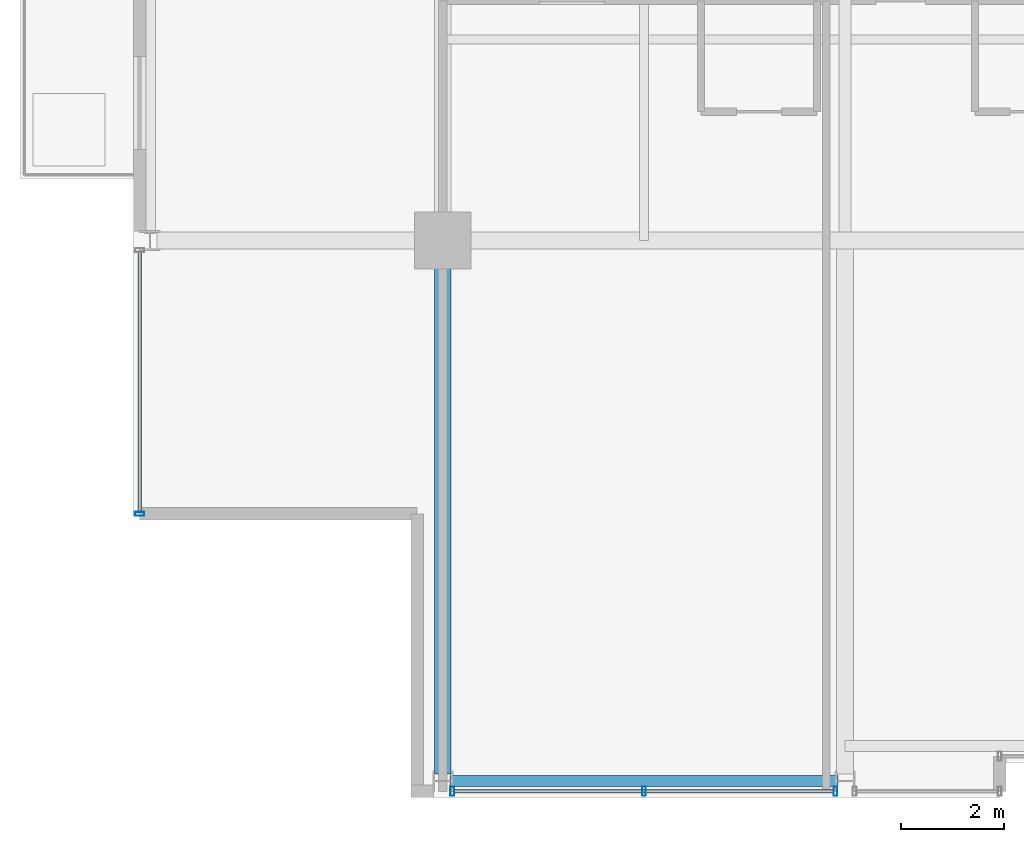
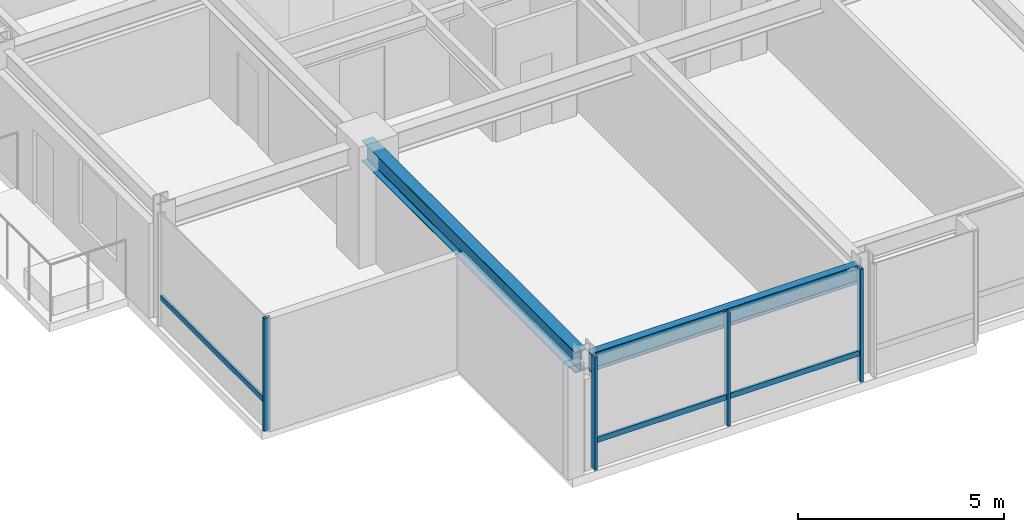
# One storey, part 2 of 31: 6 members, 2 beams, 2 elements without a shape of their own.
"""IFC4 building model written with IfcOpenShell, lengths in metres."""

from ifc_helpers import new_model, si_unit, direction, frame, origin, origin_2d, place, context, subcontext, project, spatial, hollow_rectangle, i_section, extrude, material, layer, layer_set, material_profile, profile_set, type_object, element, aggregate, save


model = new_model("IFC4")

# Units and contexts
model_context = context("Model", 3, precision=1e-05, world=origin(), true_north=direction((0.0, 1.0)))
body_context = subcontext(model_context, "Body", "Model", "MODEL_VIEW")
ifc_project = project(units=[si_unit("LENGTHUNIT", "METRE"), si_unit("AREAUNIT", "SQUARE_METRE"), si_unit("VOLUMEUNIT", "CUBIC_METRE"), si_unit("PLANEANGLEUNIT", "RADIAN"), si_unit("MASSUNIT", "GRAM", prefix="KILO")], contexts=[model_context])

# Site, building, storey
site_placement = place(None, origin())
site = spatial("IfcSite", under=ifc_project, at=site_placement, CompositionType="ELEMENT")
building_placement = place(site_placement, origin())
building = spatial("IfcBuilding", under=site, at=building_placement, Name="Drelvath Grand Hotel", CompositionType="ELEMENT")
storey_placement = place(building_placement, frame((0.0, 0.0, 230.300048828125)))
storey = spatial("IfcBuildingStorey", under=building, at=storey_placement, Name="L60", CompositionType="ELEMENT", Elevation=230.300048828125)

# Curtain wall, member
ifc_material_1 = material(Name="Platinum-Mist Anodised Aluminium Frame", Category="aluminium")
ifc_layer = layer(ifc_material_1, 0.199951171875)
ifc_layer_set = layer_set([ifc_layer], Name="Platinum-Mist Anodised Aluminium Frame")
curtain_wall_type = type_object("IfcCurtainWallType", Name="Stick Curtain Wall CW-05 Platinum Mist High-Rise", PredefinedType="NOTDEFINED", material=ifc_layer_set)
curtain_wall_1_placement = place(storey_placement, origin())
curtain_wall_1 = element("IfcCurtainWall", 1, at=curtain_wall_1_placement, inside=storey, type_object=curtain_wall_type, Name="L60 CW-05 Curtain Wall CW05-L60-WS1", PredefinedType="NOTDEFINED")
ifc_material_profile_1 = material_profile(ifc_material_1, hollow_rectangle(XDim=0.06494140625, YDim=0.159912109375, WallThickness=0.00390625, at=origin_2d()), Name="HSS160X65X4")
ifc_profile_set_1 = profile_set([ifc_material_profile_1], Name="Platinum-Mist Anodised Aluminium Frame")
member_type_1 = type_object("IfcMemberType", Name="Curtain Wall Horizontal Transom CW-05 HSS160X65X4", PredefinedType="USERDEFINED", material=ifc_profile_set_1)
member_1_placement = place(storey_placement, frame((-22.080078125, 5.5400390625, 0.8349609375), z_axis=(0.0, 1.0, 0.0), x_axis=(-1.0, 0.0, 0.0)))
member_1 = element("IfcMember", 2, at=member_1_placement, type_object=member_type_1, Name="CW05-L60-WS1 Sill Transom", ObjectType="TRANSOM", PredefinedType="USERDEFINED", context=body_context, shape_type="SweptSolid", body=[
    extrude(hollow_rectangle(XDim=0.06494140625, YDim=0.159912109375, WallThickness=0.00390625, at=origin_2d()), origin(), (0.0, 0.0, 1.0), 5.03466796875),
])

curtain_wall_2_placement = place(storey_placement, origin())
curtain_wall_2 = element("IfcCurtainWall", 3, at=curtain_wall_2_placement, inside=storey, type_object=curtain_wall_type, Name="L60 CW-05 Curtain Wall CW05-L60-SW2", PredefinedType="NOTDEFINED")
member_2_placement = place(storey_placement, frame((-8.625244140625, 0.1201171875, 0.8349609375), z_axis=(-1.0, 0.0, 0.0), x_axis=(0.0, -1.0, 0.0)))
member_2 = element("IfcMember", 4, at=member_2_placement, type_object=member_type_1, Name="CW05-L60-SW2 Sill Transom", ObjectType="TRANSOM", PredefinedType="USERDEFINED", context=body_context, shape_type="SweptSolid", body=[
    extrude(hollow_rectangle(XDim=0.06494140625, YDim=0.159912109375, WallThickness=0.00390625, at=origin_2d()), origin(), (0.0, 0.0, 1.0), 7.349365234375),
])

# Member
ifc_material_profile_2 = material_profile(ifc_material_1, hollow_rectangle(XDim=0.074951171875, YDim=0.179931640625, WallThickness=0.0048828125, at=origin_2d()), Name="HSS180X75X5")
ifc_profile_set_2 = profile_set([ifc_material_profile_2], Name="Platinum-Mist Anodised Aluminium Frame")
member_type_2 = type_object("IfcMemberType", Name="Curtain Wall Vertical Mullion CW-05 HSS180X75X5", PredefinedType="MULLION", material=ifc_profile_set_2)
member_3_placement = place(storey_placement, frame((-22.080078125, 5.5, 0.0), z_axis=(0.0, 0.0, 1.0), x_axis=(0.0, 1.0, 0.0)))
member_3 = element("IfcMember", 5, at=member_3_placement, type_object=member_type_2, Name="CW05-L60-WS1 Mullion 1", PredefinedType="MULLION", context=body_context, shape_type="SweptSolid", body=[
    extrude(hollow_rectangle(XDim=0.074951171875, YDim=0.179931640625, WallThickness=0.0048828125, at=origin_2d()), origin(), (0.0, 0.0, 1.0), 3.33984375),
])

aggregate(curtain_wall_1, [member_3, member_1])

member_4_placement = place(storey_placement, frame((-8.585205078125, 0.1201171875, 0.0), z_axis=(0.0, 0.0, 1.0), x_axis=(1.0, 0.0, 0.0)))
member_4 = element("IfcMember", 6, at=member_4_placement, type_object=member_type_2, Name="CW05-L60-SW2 Mullion 1", PredefinedType="MULLION", context=body_context, shape_type="SweptSolid", body=[
    extrude(hollow_rectangle(XDim=0.074951171875, YDim=0.179931640625, WallThickness=0.0048828125, at=origin_2d()), origin(), (0.0, 0.0, 1.0), 3.33984375),
])

member_5_placement = place(storey_placement, frame((-12.300048828125, 0.1201171875, 0.0), z_axis=(0.0, 0.0, 1.0), x_axis=(1.0, 0.0, 0.0)))
member_5 = element("IfcMember", 7, at=member_5_placement, type_object=member_type_2, Name="CW05-L60-SW2 Mullion 2", PredefinedType="MULLION", context=body_context, shape_type="SweptSolid", body=[
    extrude(hollow_rectangle(XDim=0.074951171875, YDim=0.179931640625, WallThickness=0.0048828125, at=origin_2d()), origin(), (0.0, 0.0, 1.0), 3.33984375),
])

member_6_placement = place(storey_placement, frame((-16.0146484375, 0.1201171875, 0.0), z_axis=(0.0, 0.0, 1.0), x_axis=(1.0, 0.0, 0.0)))
member_6 = element("IfcMember", 8, at=member_6_placement, type_object=member_type_2, Name="CW05-L60-SW2 Mullion 3", PredefinedType="MULLION", context=body_context, shape_type="SweptSolid", body=[
    extrude(hollow_rectangle(XDim=0.074951171875, YDim=0.179931640625, WallThickness=0.0048828125, at=origin_2d()), origin(), (0.0, 0.0, 1.0), 3.33984375),
])

aggregate(curtain_wall_2, [member_4, member_5, member_6, member_2])

# Beams
ifc_material_2 = material(Name="Steel ASTM A992 Gr 50", Category="steel")
ifc_material_profile_3 = material_profile(ifc_material_2, i_section(OverallWidth=0.210205078125, OverallDepth=0.53662109375, WebThickness=0.010986328125, FlangeThickness=0.017333984375, FilletRadius=0.01806640625, at=origin_2d()), Name="W21X68")
ifc_profile_set_3 = profile_set([ifc_material_profile_3], Name="Steel ASTM A992 Gr 50")
beam_type_1 = type_object("IfcBeamType", Name="Perimeter Spandrel Beam W21X68", PredefinedType="SPANDREL", material=ifc_profile_set_3)
beam_1_placement = place(storey_placement, frame((-16.06005859375, 0.320068359375, 3.071533203125), z_axis=(1.0, 0.0, 0.0), x_axis=(0.0, 1.0, 0.0)))
element("IfcBeam", 9, at=beam_1_placement, inside=storey, type_object=beam_type_1, Name="L60 Spandrel South W", PredefinedType="SPANDREL", context=body_context, shape_type="SweptSolid", body=[
    extrude(i_section(OverallWidth=0.210205078125, OverallDepth=0.53662109375, WebThickness=0.010986328125, FlangeThickness=0.017333984375, FilletRadius=0.01806640625, at=origin_2d()), origin(), (0.0, 0.0, 1.0), 7.52001953125),
])
ifc_material_profile_4 = material_profile(ifc_material_2, i_section(OverallWidth=0.323974609375, OverallDepth=0.611083984375, WebThickness=0.0126953125, FlangeThickness=0.01904296875, FilletRadius=0.02197265625, at=origin_2d()), Name="W24X104")
ifc_profile_set_4 = profile_set([ifc_material_profile_4], Name="Steel ASTM A992 Gr 50")
beam_type_2 = type_object("IfcBeamType", Name="Primary Floor Girder W24X104", PredefinedType="BEAM", material=ifc_profile_set_4)
beam_2_placement = place(storey_placement, frame((-16.199951171875, 0.4599609375, 3.034423828125), z_axis=(0.0, 1.0, 0.0), x_axis=(-1.0, 0.0, 0.0)))
element("IfcBeam", 10, at=beam_2_placement, inside=storey, type_object=beam_type_2, Name="L60 South Grid Girder 3", PredefinedType="BEAM", context=body_context, shape_type="SweptSolid", body=[
    extrude(i_section(OverallWidth=0.323974609375, OverallDepth=0.611083984375, WebThickness=0.0126953125, FlangeThickness=0.01904296875, FilletRadius=0.02197265625, at=origin_2d()), origin(), (0.0, 0.0, 1.0), 10.340087890625),
])

save(model, "model.ifc")
